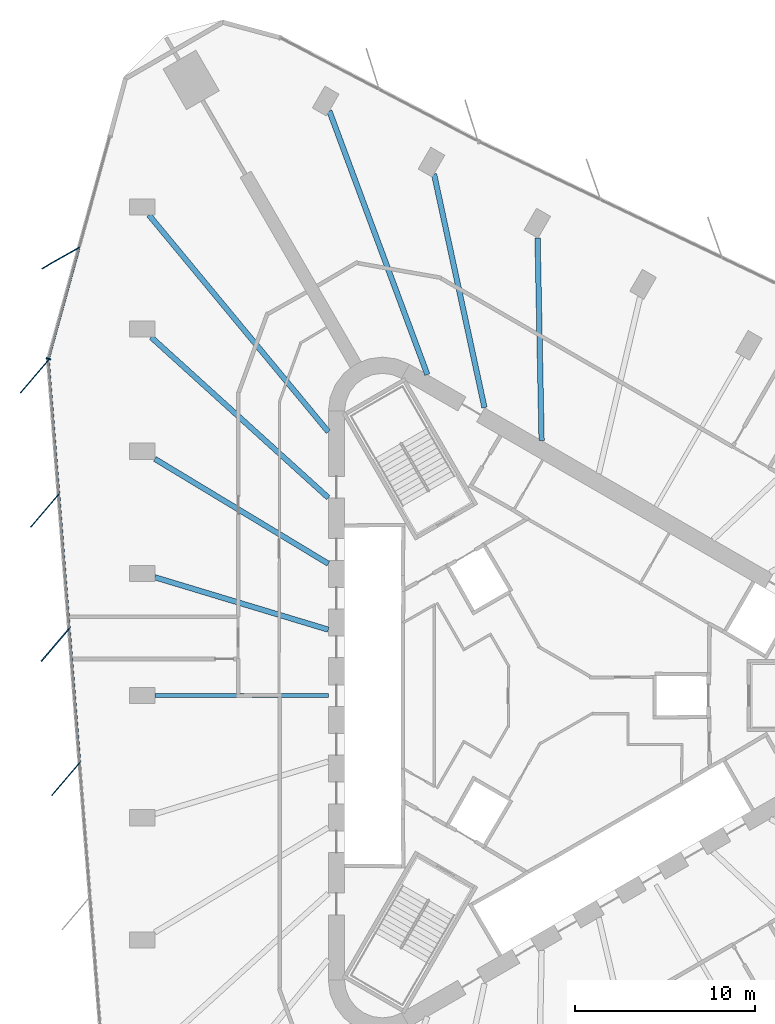
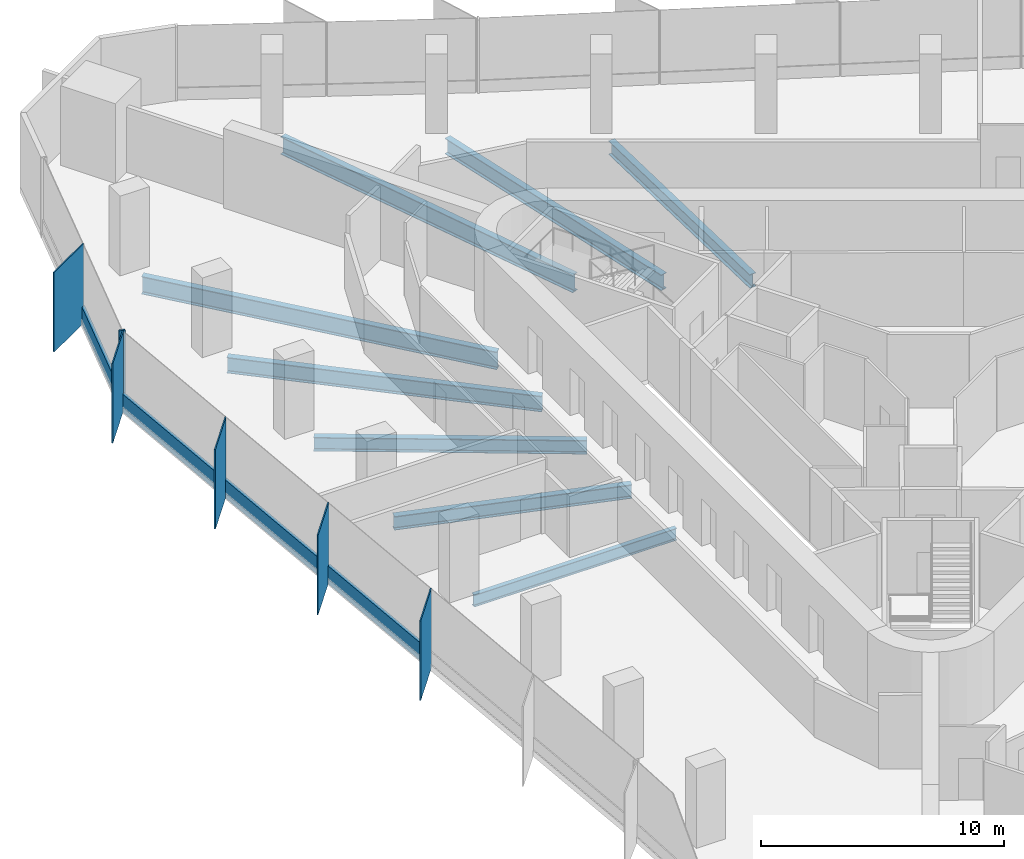
# One storey, part 4 of 13: 10 members, 8 beams, 2 elements without a shape of their own.
"""IFC4 building model written with IfcOpenShell, lengths in metres."""

from ifc_helpers import new_model, si_unit, direction, frame, origin, origin_2d, place, context, subcontext, project, spatial, rectangle, i_section, extrude, material, material_profile, profile_set, type_object, element, aggregate, save


model = new_model("IFC4")

# Units and contexts
model_context = context("Model", 3, precision=1e-05, world=origin(), true_north=direction((0.0, 1.0)))
body_context = subcontext(model_context, "Body", "Model", "MODEL_VIEW")
ifc_project = project(units=[si_unit("LENGTHUNIT", "METRE"), si_unit("AREAUNIT", "SQUARE_METRE"), si_unit("VOLUMEUNIT", "CUBIC_METRE"), si_unit("PLANEANGLEUNIT", "RADIAN"), si_unit("MASSUNIT", "GRAM", prefix="KILO")], contexts=[model_context])

# Site, building, storey
site_placement = place(None, origin())
site = spatial("IfcSite", under=ifc_project, at=site_placement, CompositionType="ELEMENT")
building_placement = place(site_placement, origin())
building = spatial("IfcBuilding", under=site, at=building_placement, Name="Tanit Gate Tower", CompositionType="ELEMENT")
storey_placement = place(building_placement, frame((0.0, 0.0, 185.199951171875)))
storey = spatial("IfcBuildingStorey", under=building, at=storey_placement, Name="L40", CompositionType="ELEMENT", Elevation=185.199951171875)

# Curtain wall, member
ifc_material_1 = material(Name="Aluminium bronze anodised and glass", Category="aluminium")
curtain_wall_type = type_object("IfcCurtainWallType", Name="Curtain wall typical mid", PredefinedType="NOTDEFINED", material=ifc_material_1)
curtain_wall_1_placement = place(storey_placement, origin())
curtain_wall_1 = element("IfcCurtainWall", 1, at=curtain_wall_1_placement, inside=storey, type_object=curtain_wall_type, Name="Curtain wall L40 W1", PredefinedType="NOTDEFINED")
ifc_material_2 = material(Name="Aluminium bronze anodised", Category="aluminium")
ifc_material_profile_1 = material_profile(ifc_material_2, rectangle(XDim=2.39990234375, YDim=0.055908203125, at=origin_2d()), Name="56x2400 bronze fin mullion")
ifc_profile_set_1 = profile_set([ifc_material_profile_1], Name="Aluminium bronze anodised")
member_type_1 = type_object("IfcMemberType", Name="FIN MULLION 56x2400 bronze", PredefinedType="MULLION", material=ifc_profile_set_1)
member_1_placement = place(storey_placement, frame((-26.9375, 24.251953125, -0.300048828125), z_axis=(0.0, 0.0, 1.0), x_axis=(0.869820195639, 0.493368855178, 0.0)))
member_1 = element("IfcMember", 2, at=member_1_placement, type_object=member_type_1, Name="Fin mullion L40 W1.2", PredefinedType="MULLION", context=body_context, shape_type="SweptSolid", body=[
    extrude(rectangle(XDim=2.39990234375, YDim=0.055908203125, at=origin_2d()), origin(), (0.0, 0.0, 1.0), 4.0),
])

# Curtain wall, members
curtain_wall_2_placement = place(storey_placement, origin())
curtain_wall_2 = element("IfcCurtainWall", 3, at=curtain_wall_2_placement, inside=storey, type_object=curtain_wall_type, Name="Curtain wall L40 W2", PredefinedType="NOTDEFINED")
member_2_placement = place(storey_placement, frame((-28.388427734375, 17.694091796875, -0.300048828125), z_axis=(0.0, 0.0, 1.0), x_axis=(0.650025975428, 0.75991198916, 0.0)))
member_2 = element("IfcMember", 4, at=member_2_placement, type_object=member_type_1, Name="Fin mullion L40 W2.1", PredefinedType="MULLION", context=body_context, shape_type="SweptSolid", body=[
    extrude(rectangle(XDim=2.39990234375, YDim=0.055908203125, at=origin_2d()), origin(), (0.0, 0.0, 1.0), 4.0),
])
member_3_placement = place(storey_placement, frame((-27.808837890625, 10.25732421875, -0.300048828125), z_axis=(0.0, 0.0, 1.0), x_axis=(0.650025975428, 0.75991198916, 0.0)))
member_3 = element("IfcMember", 5, at=member_3_placement, type_object=member_type_1, Name="Fin mullion L40 W2.2", PredefinedType="MULLION", context=body_context, shape_type="SweptSolid", body=[
    extrude(rectangle(XDim=2.39990234375, YDim=0.055908203125, at=origin_2d()), origin(), (0.0, 0.0, 1.0), 4.0),
])
member_4_placement = place(storey_placement, frame((-27.229248046875, 2.8203125, -0.300048828125), z_axis=(0.0, 0.0, 1.0), x_axis=(0.650025975428, 0.75991198916, 0.0)))
member_4 = element("IfcMember", 6, at=member_4_placement, type_object=member_type_1, Name="Fin mullion L40 W2.3", PredefinedType="MULLION", context=body_context, shape_type="SweptSolid", body=[
    extrude(rectangle(XDim=2.39990234375, YDim=0.055908203125, at=origin_2d()), origin(), (0.0, 0.0, 1.0), 4.0),
])
member_5_placement = place(storey_placement, frame((-26.649658203125, -4.616455078125, -0.300048828125), z_axis=(0.0, 0.0, 1.0), x_axis=(0.650025975428, 0.75991198916, 0.0)))
member_5 = element("IfcMember", 7, at=member_5_placement, type_object=member_type_1, Name="Fin mullion L40 W2.4", PredefinedType="MULLION", context=body_context, shape_type="SweptSolid", body=[
    extrude(rectangle(XDim=2.39990234375, YDim=0.055908203125, at=origin_2d()), origin(), (0.0, 0.0, 1.0), 4.0),
])

# Member
ifc_material_3 = material(Name="Aluminium bronze anodised", Category="aluminium")
ifc_material_profile_2 = material_profile(ifc_material_3, rectangle(XDim=0.260009765625, YDim=0.080078125, at=origin_2d()), Name="80x260 bronze mullion")
ifc_profile_set_2 = profile_set([ifc_material_profile_2], Name="Aluminium bronze anodised")
member_type_2 = type_object("IfcMemberType", Name="Mullion 80x260 typical mid", PredefinedType="MULLION", material=ifc_profile_set_2)
member_6_placement = place(storey_placement, frame((-27.61474609375, 18.668212890625, -0.300048828125), z_axis=(0.0, 0.0, 1.0), x_axis=(0.963920221871, -0.266191295627, 0.0)))
member_6 = element("IfcMember", 8, at=member_6_placement, type_object=member_type_2, Name="Mullion L40 W1.3", PredefinedType="MULLION", context=body_context, shape_type="SweptSolid", body=[
    extrude(rectangle(XDim=0.260009765625, YDim=0.080078125, at=origin_2d()), origin(), (0.0, 0.0, 1.0), 4.0),
])

# Beams
ifc_material_4 = material(Name="Steel S355", Category="steel")
ifc_material_profile_3 = material_profile(ifc_material_4, i_section(OverallWidth=0.300048828125, OverallDepth=0.68994140625, WebThickness=0.014404296875, FlangeThickness=0.027099609375, FilletRadius=0.027099609375, at=origin_2d()), Name="HEA 700")
ifc_profile_set_3 = profile_set([ifc_material_profile_3], Name="Steel S355")
beam_type_1 = type_object("IfcBeamType", Name="RADIAL GIRDER HEA 700 S355", PredefinedType="BEAM", material=ifc_profile_set_3)
for number, where, z_axis, x_axis, name in (
    (9, (-0.504150390625, 25.364990234375, -0.64501953125), (0.019869098262, -0.999802589982, 0.0), (0.999802589982, 0.019869098262, 0.0), "RADIAL GIRDER"),
    (10, (-21.714599609375, 13.119140625, -0.64501953125), (0.855914138783, -0.517117962395, 0.0), (0.517117962395, 0.855914138783, 0.0), "RADIAL GIRDER"),
):
    element("IfcBeam", number, at=place(storey_placement, frame(where, z_axis=z_axis, x_axis=x_axis)), inside=storey, type_object=beam_type_1, Name=name, PredefinedType="BEAM", context=body_context, shape_type="SweptSolid", body=[
        extrude(i_section(OverallWidth=0.300048828125, OverallDepth=0.68994140625, WebThickness=0.014404296875, FlangeThickness=0.027099609375, FilletRadius=0.027099609375, at=origin_2d()), origin(), (0.0, 0.0, 1.0), 11.230712890625),
    ])
beam_1_placement = place(storey_placement, frame((-21.714599609375, 6.5595703125, -0.64501953125), z_axis=(0.95727515036, -0.28917864116, 0.0), x_axis=(0.28917864116, 0.95727515036, 0.0)))
element("IfcBeam", 11, at=beam_1_placement, inside=storey, type_object=beam_type_1, Name="RADIAL GIRDER", PredefinedType="BEAM", context=body_context, shape_type="SweptSolid", body=[
    extrude(i_section(OverallWidth=0.300048828125, OverallDepth=0.68994140625, WebThickness=0.014404296875, FlangeThickness=0.027099609375, FilletRadius=0.027099609375, at=origin_2d()), origin(), (0.0, 0.0, 1.0), 10.04150390625),
])
ifc_material_5 = material(Name="Steel S355", Category="steel")
ifc_material_profile_4 = material_profile(ifc_material_5, i_section(OverallWidth=0.300048828125, OverallDepth=0.7900390625, WebThickness=0.014892578125, FlangeThickness=0.028076171875, FilletRadius=0.030029296875, at=origin_2d()), Name="HEA 800")
ifc_profile_set_4 = profile_set([ifc_material_profile_4], Name="Steel S355")
beam_type_2 = type_object("IfcBeamType", Name="RADIAL GIRDER HEA 800 S355", PredefinedType="BEAM", material=ifc_profile_set_4)
beam_2_placement = place(storey_placement, frame((-6.242919921875, 28.9130859375, -0.695068359375), z_axis=(0.211052986888, -0.977474622037, 0.0), x_axis=(0.977474622037, 0.211052986888, 0.0)))
element("IfcBeam", 12, at=beam_2_placement, inside=storey, type_object=beam_type_2, Name="RADIAL GIRDER", PredefinedType="BEAM", context=body_context, shape_type="SweptSolid", body=[
    extrude(i_section(OverallWidth=0.300048828125, OverallDepth=0.7900390625, WebThickness=0.014892578125, FlangeThickness=0.028076171875, FilletRadius=0.030029296875, at=origin_2d()), origin(), (0.0, 0.0, 1.0), 13.247314453125),
])
beam_3_placement = place(storey_placement, frame((-21.918212890625, 19.86279296875, -0.695068359375), z_axis=(0.741001566529, -0.671503297387, 0.0), x_axis=(0.671503297387, 0.741001566529, 0.0)))
element("IfcBeam", 13, at=beam_3_placement, inside=storey, type_object=beam_type_2, Name="RADIAL GIRDER", PredefinedType="BEAM", context=body_context, shape_type="SweptSolid", body=[
    extrude(i_section(OverallWidth=0.300048828125, OverallDepth=0.7900390625, WebThickness=0.014892578125, FlangeThickness=0.028076171875, FilletRadius=0.030029296875, at=origin_2d()), origin(), (0.0, 0.0, 1.0), 13.2470703125),
])
ifc_material_6 = material(Name="Steel S355", Category="steel")
ifc_material_profile_5 = material_profile(ifc_material_6, i_section(OverallWidth=0.300048828125, OverallDepth=0.889892578125, WebThickness=0.01611328125, FlangeThickness=0.030029296875, FilletRadius=0.030029296875, at=origin_2d()), Name="HEA 900")
ifc_profile_set_5 = profile_set([ifc_material_profile_5], Name="Steel S355")
beam_type_3 = type_object("IfcBeamType", Name="RADIAL GIRDER HEA 900 S355", PredefinedType="BEAM", material=ifc_profile_set_5)
beam_4_placement = place(storey_placement, frame((-12.04443359375, 32.40625, -0.744873046875), z_axis=(0.348383102876, -0.937352235625, 0.0), x_axis=(0.937352235625, 0.348383102876, 0.0)))
element("IfcBeam", 14, at=beam_4_placement, inside=storey, type_object=beam_type_3, Name="RADIAL GIRDER", PredefinedType="BEAM", context=body_context, shape_type="SweptSolid", body=[
    extrude(i_section(OverallWidth=0.300048828125, OverallDepth=0.889892578125, WebThickness=0.01611328125, FlangeThickness=0.030029296875, FilletRadius=0.030029296875, at=origin_2d()), origin(), (0.0, 0.0, 1.0), 15.591064453125),
])
beam_5_placement = place(storey_placement, frame((-22.042236328125, 26.6337890625, -0.744873046875), z_axis=(0.637577648995, -0.77038609898, 0.0), x_axis=(0.77038609898, 0.637577648995, 0.0)))
element("IfcBeam", 15, at=beam_5_placement, inside=storey, type_object=beam_type_3, Name="RADIAL GIRDER", PredefinedType="BEAM", context=body_context, shape_type="SweptSolid", body=[
    extrude(i_section(OverallWidth=0.300048828125, OverallDepth=0.889892578125, WebThickness=0.01611328125, FlangeThickness=0.030029296875, FilletRadius=0.030029296875, at=origin_2d()), origin(), (0.0, 0.0, 1.0), 15.590576171875),
])
ifc_material_7 = material(Name="Steel S355", Category="steel")
ifc_material_profile_6 = material_profile(ifc_material_7, i_section(OverallWidth=0.219970703125, OverallDepth=0.60009765625, WebThickness=0.011962890625, FlangeThickness=0.01904296875, FilletRadius=0.02392578125, at=origin_2d()), Name="IPE 600")
ifc_profile_set_6 = profile_set([ifc_material_profile_6], Name="Steel S355")
beam_type_4 = type_object("IfcBeamType", Name="RADIAL GIRDER IPE 600 S355", PredefinedType="BEAM", material=ifc_profile_set_6)
beam_6_placement = place(storey_placement, frame((-21.714599609375, 0.0, -0.599853515625), z_axis=(1.0, 0.0, 0.0), x_axis=(0.0, 1.0, 0.0)))
element("IfcBeam", 16, at=beam_6_placement, inside=storey, type_object=beam_type_4, Name="RADIAL GIRDER", PredefinedType="BEAM", context=body_context, shape_type="SweptSolid", body=[
    extrude(i_section(OverallWidth=0.219970703125, OverallDepth=0.60009765625, WebThickness=0.011962890625, FlangeThickness=0.01904296875, FilletRadius=0.02392578125, at=origin_2d()), origin(), (0.0, 0.0, 1.0), 9.612548828125),
])

# Member
ifc_material_8 = material(Name="Aluminium bronze anodised", Category="aluminium")
ifc_material_profile_7 = material_profile(ifc_material_8, rectangle(XDim=0.139892578125, YDim=0.89990234375, at=origin_2d()), Name="140x900 bronze transom")
ifc_profile_set_7 = profile_set([ifc_material_profile_7], Name="Aluminium bronze anodised")
member_type_3 = type_object("IfcMemberType", Name="Transom 140x900 typical mid", PredefinedType="USERDEFINED", material=ifc_profile_set_7)
member_7_placement = place(storey_placement, frame((-25.9228515625, 24.795166015625, 0.150146484375), z_axis=(-0.266164324835, -0.963927669582, 0.0), x_axis=(0.963927669582, -0.266164324835, 0.0)))
member_7 = element("IfcMember", 17, at=member_7_placement, type_object=member_type_3, Name="Transom L40 W1.2", ObjectType="TRANSOM", PredefinedType="USERDEFINED", context=body_context, shape_type="SweptSolid", body=[
    extrude(rectangle(XDim=0.139892578125, YDim=0.89990234375, at=origin_2d()), origin(), (0.0, 0.0, 1.0), 6.316162109375),
])

aggregate(curtain_wall_1, [member_1, member_6, member_7])

member_8_placement = place(storey_placement, frame((-27.619140625, 18.550048828125, 0.150146484375), z_axis=(0.077713489247, -0.996975733701, 0.0), x_axis=(0.996975733701, 0.077713489247, 0.0)))
member_8 = element("IfcMember", 18, at=member_8_placement, type_object=member_type_3, Name="Transom L40 W2.1", ObjectType="TRANSOM", PredefinedType="USERDEFINED", context=body_context, shape_type="SweptSolid", body=[
    extrude(rectangle(XDim=0.139892578125, YDim=0.89990234375, at=origin_2d()), origin(), (0.0, 0.0, 1.0), 7.37939453125),
])

member_9_placement = place(storey_placement, frame((-27.03955078125, 11.113037109375, 0.150146484375), z_axis=(0.077716052602, -0.996975533886, 0.0), x_axis=(0.996975533886, 0.077716052602, 0.0)))
member_9 = element("IfcMember", 19, at=member_9_placement, type_object=member_type_3, Name="Transom L40 W2.2", ObjectType="TRANSOM", PredefinedType="USERDEFINED", context=body_context, shape_type="SweptSolid", body=[
    extrude(rectangle(XDim=0.139892578125, YDim=0.89990234375, at=origin_2d()), origin(), (0.0, 0.0, 1.0), 7.379150390625),
])

member_10_placement = place(storey_placement, frame((-26.4599609375, 3.67626953125, 0.150146484375), z_axis=(0.077713489247, -0.996975733701, 0.0), x_axis=(0.996975733701, 0.077713489247, 0.0)))
member_10 = element("IfcMember", 20, at=member_10_placement, type_object=member_type_3, Name="Transom L40 W2.3", ObjectType="TRANSOM", PredefinedType="USERDEFINED", context=body_context, shape_type="SweptSolid", body=[
    extrude(rectangle(XDim=0.139892578125, YDim=0.89990234375, at=origin_2d()), origin(), (0.0, 0.0, 1.0), 7.37939453125),
])

aggregate(curtain_wall_2, [member_2, member_3, member_4, member_5, member_8, member_9, member_10])

save(model, "model.ifc")
